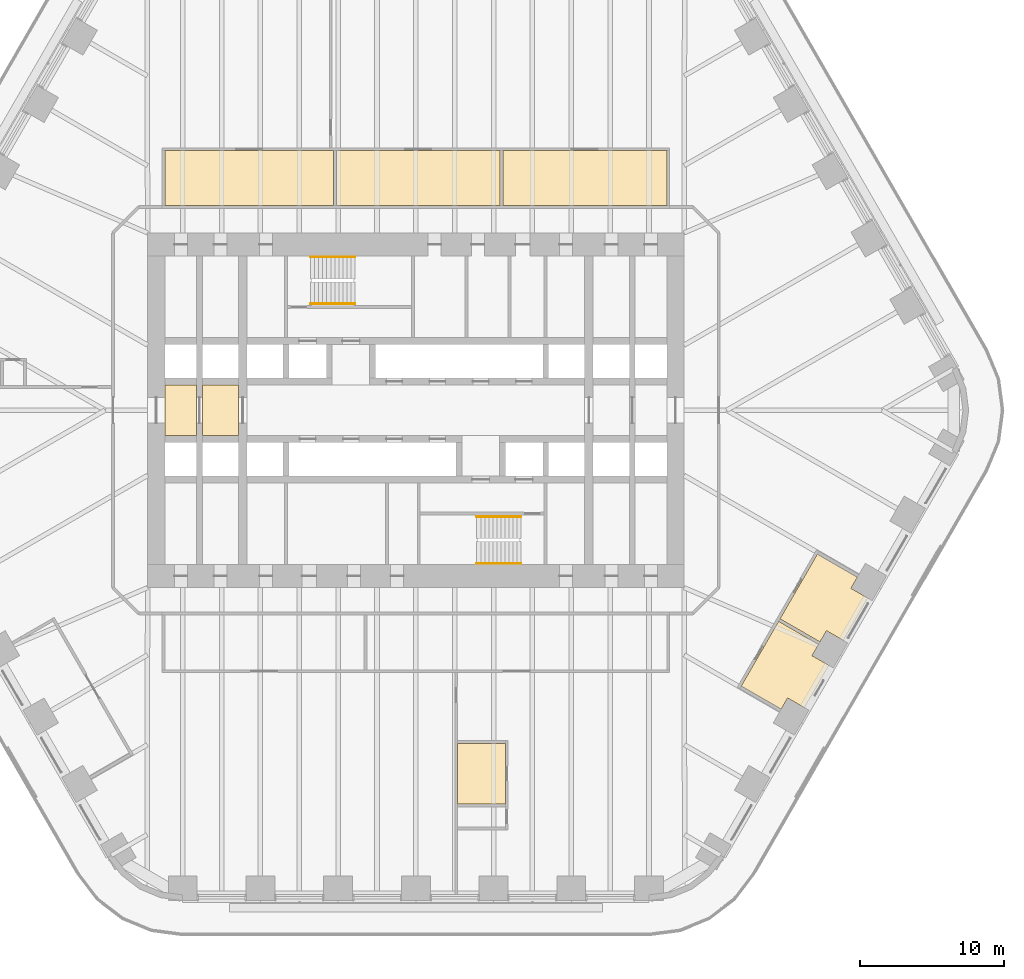
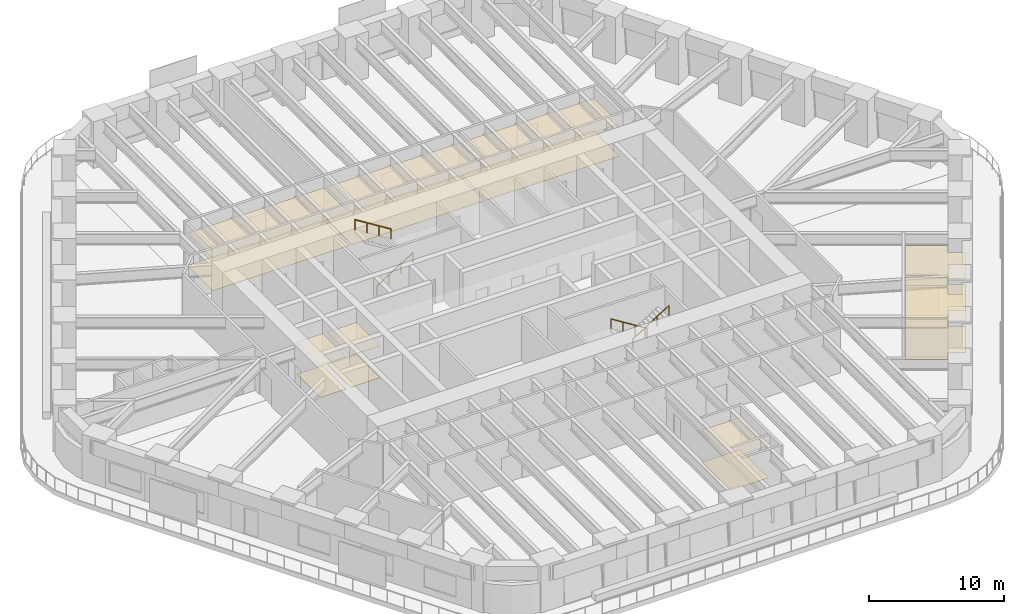
# One storey, part 21 of 23: 6 coverings, 4 railings.
"""IFC4 building model written with IfcOpenShell, lengths in metres."""

from ifc_helpers import new_model, si_unit, direction, frame, origin, origin_2d, place, context, subcontext, project, spatial, polyline, circle, outline, extrude, material, layer, layer_set, type_object, element, save


model = new_model("IFC4")

# Units and contexts
model_context = context("Model", 3, precision=1e-05, world=origin(), true_north=direction((0.0, 1.0)))
body_context = subcontext(model_context, "Body", "Model", "MODEL_VIEW")
ifc_project = project(units=[si_unit("LENGTHUNIT", "METRE"), si_unit("AREAUNIT", "SQUARE_METRE"), si_unit("VOLUMEUNIT", "CUBIC_METRE"), si_unit("PLANEANGLEUNIT", "RADIAN"), si_unit("MASSUNIT", "GRAM", prefix="KILO")], contexts=[model_context])

# Site, building, storey
site_placement = place(None, origin())
site = spatial("IfcSite", under=ifc_project, at=site_placement, CompositionType="ELEMENT")
building_placement = place(site_placement, origin())
building = spatial("IfcBuilding", under=site, at=building_placement, Name="Tarfa Lantern Tower", CompositionType="ELEMENT")
storey_placement = place(building_placement, frame((0.0, 0.0, 82.300048828125)))
storey = spatial("IfcBuildingStorey", under=building, at=storey_placement, Name="L18", CompositionType="ELEMENT", Elevation=82.300048828125)

# Coverings
ifc_material_1 = material(Name="Mineral fibre acoustic tile on suspension grid", Category="finish")
ifc_layer_1 = layer(ifc_material_1, 0.02001953125)
ifc_layer_set_1 = layer_set([ifc_layer_1], Name="CL1 ACOUSTIC TILE CEILING 20")
covering_type_1 = type_object("IfcCoveringType", Name="CL1 ACOUSTIC TILE CEILING 20", PredefinedType="CEILING", material=ifc_layer_set_1)
covering_1_placement = place(storey_placement, frame((0.0, 0.0, 2.89990234375)))
element("IfcCovering", 1, at=covering_1_placement, inside=storey, type_object=covering_type_1, Name="Ceiling L18 CL1", PredefinedType="CEILING", context=body_context, shape_type="SweptSolid", body=[
    extrude(outline(polyline([(-17.39990234375, 18.0), (-5.699951171875, 18.0), (-5.699951171875, 14.199951171875), (-17.39990234375, 14.199951171875), (-17.39990234375, 18.0)])), origin(), (0.0, 0.0, 1.0), 0.02001953125),
    extrude(outline(polyline([(-5.5, 18.0), (5.85009765625, 18.0), (5.85009765625, 14.199951171875), (-5.5, 14.199951171875), (-5.5, 18.0)])), origin(), (0.0, 0.0, 1.0), 0.02001953125),
    extrude(outline(polyline([(6.050048828125, 18.0), (17.39990234375, 18.0), (17.39990234375, 14.199951171875), (6.050048828125, 14.199951171875), (6.050048828125, 18.0)])), origin(), (0.0, 0.0, 1.0), 0.02001953125),
    extrude(outline(polyline([(25.1513671875, -14.63671875), (27.922607421875, -16.236572265625), (27.47265625, -17.01611328125), (28.641845703125, -17.69091796875), (26.947509765625, -20.625732421875), (25.7783203125, -19.95068359375), (25.328369140625, -20.72998046875), (22.55712890625, -19.130126953125), (25.1513671875, -14.63671875)])), origin(), (0.0, 0.0, 1.0), 0.02001953125),
    extrude(outline(polyline([(27.845703125, -9.969970703125), (30.616943359375, -11.56982421875), (30.1669921875, -12.349365234375), (31.3359375, -13.0244140625), (29.641845703125, -15.958984375), (28.47265625, -15.283935546875), (28.022705078125, -16.0634765625), (25.251220703125, -14.46337890625), (27.845703125, -9.969970703125)])), origin(), (0.0, 0.0, 1.0), 0.02001953125),
    extrude(outline(polyline([(6.199951171875, -27.300048828125), (2.89990234375, -27.300048828125), (2.89990234375, -23.10009765625), (6.199951171875, -23.10009765625), (6.199951171875, -27.300048828125)])), origin(), (0.0, 0.0, 1.0), 0.02001953125),
])
ifc_material_2 = material(Name="Powder-coated aluminium panel", Category="aluminium")
ifc_layer_2 = layer(ifc_material_2, 0.030029296875)
ifc_layer_set_2 = layer_set([ifc_layer_2], Name="CL3 METAL PANEL CEILING 30")
covering_type_2 = type_object("IfcCoveringType", Name="CL3 METAL PANEL CEILING 30", PredefinedType="CEILING", material=ifc_layer_set_2)
covering_2_placement = place(storey_placement, frame((0.0, 0.0, 2.89990234375)))
element("IfcCovering", 2, at=covering_2_placement, inside=storey, type_object=covering_type_2, Name="Ceiling L18-01", PredefinedType="CEILING", context=body_context, shape_type="SweptSolid", body=[
    extrude(outline(polyline([(-17.39990234375, -1.75), (-15.199951171875, -1.75), (-15.199951171875, 1.75), (-17.39990234375, 1.75), (-17.39990234375, -1.75)])), origin(), (0.0, 0.0, 1.0), 0.030029296875),
])
covering_3_placement = place(storey_placement, frame((0.0, 0.0, 2.89990234375)))
element("IfcCovering", 3, at=covering_3_placement, inside=storey, type_object=covering_type_2, Name="Ceiling L18-02", PredefinedType="CEILING", context=body_context, shape_type="SweptSolid", body=[
    extrude(outline(polyline([(-14.800048828125, -1.75), (-12.300048828125, -1.75), (-12.300048828125, 1.75), (-14.800048828125, 1.75), (-14.800048828125, -1.75)])), origin(), (0.0, 0.0, 1.0), 0.030029296875),
])
ifc_material_3 = material(Name="Nylon carpet tile", Category="finish")
ifc_layer_3 = layer(ifc_material_3, 0.010009765625)
ifc_layer_set_3 = layer_set([ifc_layer_3], Name="FL1 CARPET TILE 10")
covering_type_3 = type_object("IfcCoveringType", Name="FL1 CARPET TILE 10", PredefinedType="FLOORING", material=ifc_layer_set_3)
covering_4_placement = place(storey_placement, origin())
element("IfcCovering", 4, at=covering_4_placement, inside=storey, type_object=covering_type_3, Name="Floor finish L18 FL1", PredefinedType="FLOORING", context=body_context, shape_type="SweptSolid", body=[
    extrude(outline(polyline([(-17.39990234375, 18.0), (-5.699951171875, 18.0), (-5.699951171875, 14.199951171875), (-17.39990234375, 14.199951171875), (-17.39990234375, 18.0)])), origin(), (0.0, 0.0, 1.0), 0.010009765625),
    extrude(outline(polyline([(-5.5, 18.0), (5.85009765625, 18.0), (5.85009765625, 14.199951171875), (-5.5, 14.199951171875), (-5.5, 18.0)])), origin(), (0.0, 0.0, 1.0), 0.010009765625),
    extrude(outline(polyline([(6.050048828125, 18.0), (17.39990234375, 18.0), (17.39990234375, 14.199951171875), (6.050048828125, 14.199951171875), (6.050048828125, 18.0)])), origin(), (0.0, 0.0, 1.0), 0.010009765625),
    extrude(outline(polyline([(25.1513671875, -14.63671875), (27.922607421875, -16.236572265625), (27.47265625, -17.01611328125), (28.641845703125, -17.69091796875), (26.947509765625, -20.625732421875), (25.7783203125, -19.95068359375), (25.328369140625, -20.72998046875), (22.55712890625, -19.130126953125), (25.1513671875, -14.63671875)])), origin(), (0.0, 0.0, 1.0), 0.010009765625),
    extrude(outline(polyline([(27.845703125, -9.969970703125), (30.616943359375, -11.56982421875), (30.1669921875, -12.349365234375), (31.3359375, -13.0244140625), (29.641845703125, -15.958984375), (28.47265625, -15.283935546875), (28.022705078125, -16.0634765625), (25.251220703125, -14.46337890625), (27.845703125, -9.969970703125)])), origin(), (0.0, 0.0, 1.0), 0.010009765625),
    extrude(outline(polyline([(6.199951171875, -27.300048828125), (2.89990234375, -27.300048828125), (2.89990234375, -23.10009765625), (6.199951171875, -23.10009765625), (6.199951171875, -27.300048828125)])), origin(), (0.0, 0.0, 1.0), 0.010009765625),
])
ifc_material_4 = material(Name="Honed limestone flooring", Category="masonry")
ifc_layer_4 = layer(ifc_material_4, 0.030029296875)
ifc_layer_set_4 = layer_set([ifc_layer_4], Name="FL2 STONE FLOORING 30")
covering_type_4 = type_object("IfcCoveringType", Name="FL2 STONE FLOORING 30", PredefinedType="FLOORING", material=ifc_layer_set_4)
covering_5_placement = place(storey_placement, origin())
element("IfcCovering", 5, at=covering_5_placement, inside=storey, type_object=covering_type_4, Name="Floor finish L18-01", PredefinedType="FLOORING", context=body_context, shape_type="SweptSolid", body=[
    extrude(outline(polyline([(-17.39990234375, -1.75), (-15.199951171875, -1.75), (-15.199951171875, 1.75), (-17.39990234375, 1.75), (-17.39990234375, -1.75)])), origin(), (0.0, 0.0, 1.0), 0.030029296875),
])
covering_6_placement = place(storey_placement, origin())
element("IfcCovering", 6, at=covering_6_placement, inside=storey, type_object=covering_type_4, Name="Floor finish L18-02", PredefinedType="FLOORING", context=body_context, shape_type="SweptSolid", body=[
    extrude(outline(polyline([(-14.800048828125, -1.75), (-12.300048828125, -1.75), (-12.300048828125, 1.75), (-14.800048828125, 1.75), (-14.800048828125, -1.75)])), origin(), (0.0, 0.0, 1.0), 0.030029296875),
])

# Railings
ifc_material_5 = material(Name="Stainless steel", Category="steel")
railing_type = type_object("IfcRailingType", Name="HR1 HANDRAIL 900", PredefinedType="HANDRAIL", material=ifc_material_5)
railing_1_placement = place(storey_placement, frame((-7.300048828125, 7.3798828125, 0.175048828125)))
element("IfcRailing", 7, at=railing_1_placement, inside=storey, type_object=railing_type, Name="Handrail 1", PredefinedType="HANDRAIL", context=body_context, shape_type="SweptSolid", body=[
    extrude(circle(Radius=0.02392578125, at=origin_2d()), frame((0.0, 0.0, 0.8759765625), z_axis=(0.848028513186, 0.0, 0.529950602248), x_axis=(0.0, 1.0, 0.0)), (0.0, 0.0, 1.0), 3.632080078125),
    extrude(circle(Radius=0.02099609375, at=origin_2d()), frame((0.0, 0.0, 0.0), z_axis=(0.0, 0.0, 1.0), x_axis=(0.0, 1.0, 0.0)), (0.0, 0.0, 1.0), 0.851806640625),
    extrude(circle(Radius=0.02099609375, at=origin_2d()), frame((1.026611328125, 0.0, 0.6416015625), z_axis=(0.0, 0.0, 1.0), x_axis=(0.0, 1.0, 0.0)), (0.0, 0.0, 1.0), 0.851806640625),
    extrude(circle(Radius=0.02099609375, at=origin_2d()), frame((2.053466796875, 0.0, 1.283203125), z_axis=(0.0, 0.0, 1.0), x_axis=(0.0, 1.0, 0.0)), (0.0, 0.0, 1.0), 0.851806640625),
    extrude(circle(Radius=0.02099609375, at=origin_2d()), frame((3.080078125, 0.0, 1.9248046875), z_axis=(0.0, 0.0, 1.0), x_axis=(0.0, 1.0, 0.0)), (0.0, 0.0, 1.0), 0.851806640625),
])
railing_2_placement = place(storey_placement, frame((-4.219970703125, 10.6201171875, 2.27490234375)))
element("IfcRailing", 8, at=railing_2_placement, inside=storey, type_object=railing_type, Name="Handrail 2", PredefinedType="HANDRAIL", context=body_context, shape_type="SweptSolid", body=[
    extrude(circle(Radius=0.02392578125, at=origin_2d()), frame((0.0, 0.0, 0.8759765625), z_axis=(-0.847998304005, 0.0, 0.529998940003), x_axis=(0.0, -1.0, 0.0)), (0.0, 0.0, 1.0), 3.632080078125),
    extrude(circle(Radius=0.02099609375, at=origin_2d()), frame((0.0, 0.0, 0.0), z_axis=(0.0, 0.0, 1.0), x_axis=(0.0, -1.0, 0.0)), (0.0, 0.0, 1.0), 0.851806640625),
    extrude(circle(Radius=0.02099609375, at=origin_2d()), frame((-1.026611328125, 0.0, 0.6416015625), z_axis=(0.0, 0.0, 1.0), x_axis=(0.0, -1.0, 0.0)), (0.0, 0.0, 1.0), 0.851806640625),
    extrude(circle(Radius=0.02099609375, at=origin_2d()), frame((-2.053466796875, 0.0, 1.283447265625), z_axis=(0.0, 0.0, 1.0), x_axis=(0.0, -1.0, 0.0)), (0.0, 0.0, 1.0), 0.851806640625),
    extrude(circle(Radius=0.02099609375, at=origin_2d()), frame((-3.080078125, 0.0, 1.925048828125), z_axis=(0.0, 0.0, 1.0), x_axis=(0.0, -1.0, 0.0)), (0.0, 0.0, 1.0), 0.851806640625),
])
railing_3_placement = place(storey_placement, frame((7.300048828125, -7.3798828125, 0.175048828125)))
element("IfcRailing", 9, at=railing_3_placement, inside=storey, type_object=railing_type, Name="Handrail 1", PredefinedType="HANDRAIL", context=body_context, shape_type="SweptSolid", body=[
    extrude(circle(Radius=0.02392578125, at=origin_2d()), frame((0.0, 0.0, 0.8759765625), z_axis=(-0.848028513186, 0.0, 0.529950602248), x_axis=(0.0, -1.0, 0.0)), (0.0, 0.0, 1.0), 3.632080078125),
    extrude(circle(Radius=0.02099609375, at=origin_2d()), frame((0.0, 0.0, 0.0), z_axis=(0.0, 0.0, 1.0), x_axis=(0.0, -1.0, 0.0)), (0.0, 0.0, 1.0), 0.851806640625),
    extrude(circle(Radius=0.02099609375, at=origin_2d()), frame((-1.026611328125, 0.0, 0.6416015625), z_axis=(0.0, 0.0, 1.0), x_axis=(0.0, -1.0, 0.0)), (0.0, 0.0, 1.0), 0.851806640625),
    extrude(circle(Radius=0.02099609375, at=origin_2d()), frame((-2.053466796875, 0.0, 1.283203125), z_axis=(0.0, 0.0, 1.0), x_axis=(0.0, -1.0, 0.0)), (0.0, 0.0, 1.0), 0.851806640625),
    extrude(circle(Radius=0.02099609375, at=origin_2d()), frame((-3.080078125, 0.0, 1.9248046875), z_axis=(0.0, 0.0, 1.0), x_axis=(0.0, -1.0, 0.0)), (0.0, 0.0, 1.0), 0.851806640625),
])
railing_4_placement = place(storey_placement, frame((4.219970703125, -10.6201171875, 2.27490234375)))
element("IfcRailing", 10, at=railing_4_placement, inside=storey, type_object=railing_type, Name="Handrail 2", PredefinedType="HANDRAIL", context=body_context, shape_type="SweptSolid", body=[
    extrude(circle(Radius=0.02392578125, at=origin_2d()), frame((0.0, 0.0, 0.8759765625), z_axis=(0.847998304005, 0.0, 0.529998940003), x_axis=(0.0, 1.0, 0.0)), (0.0, 0.0, 1.0), 3.632080078125),
    extrude(circle(Radius=0.02099609375, at=origin_2d()), frame((0.0, 0.0, 0.0), z_axis=(0.0, 0.0, 1.0), x_axis=(0.0, 1.0, 0.0)), (0.0, 0.0, 1.0), 0.851806640625),
    extrude(circle(Radius=0.02099609375, at=origin_2d()), frame((1.026611328125, 0.0, 0.6416015625), z_axis=(0.0, 0.0, 1.0), x_axis=(0.0, 1.0, 0.0)), (0.0, 0.0, 1.0), 0.851806640625),
    extrude(circle(Radius=0.02099609375, at=origin_2d()), frame((2.053466796875, 0.0, 1.283447265625), z_axis=(0.0, 0.0, 1.0), x_axis=(0.0, 1.0, 0.0)), (0.0, 0.0, 1.0), 0.851806640625),
    extrude(circle(Radius=0.02099609375, at=origin_2d()), frame((3.080078125, 0.0, 1.925048828125), z_axis=(0.0, 0.0, 1.0), x_axis=(0.0, 1.0, 0.0)), (0.0, 0.0, 1.0), 0.851806640625),
])

save(model, "model.ifc")
